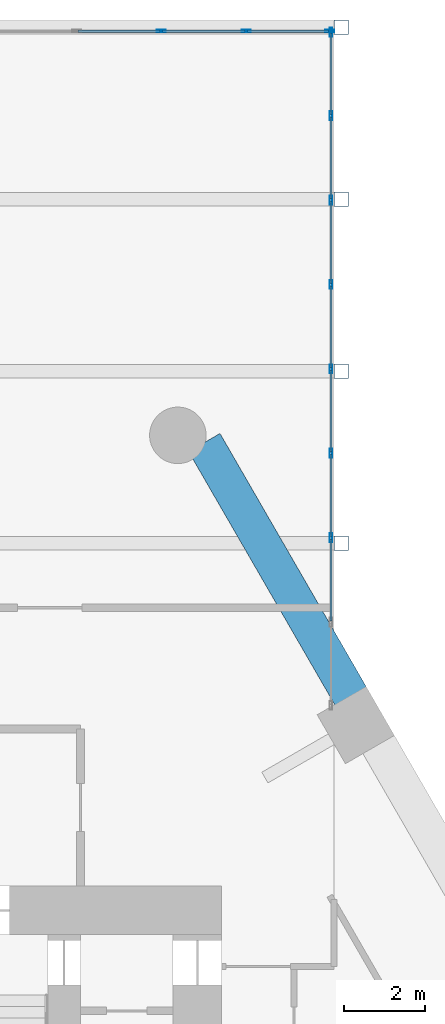
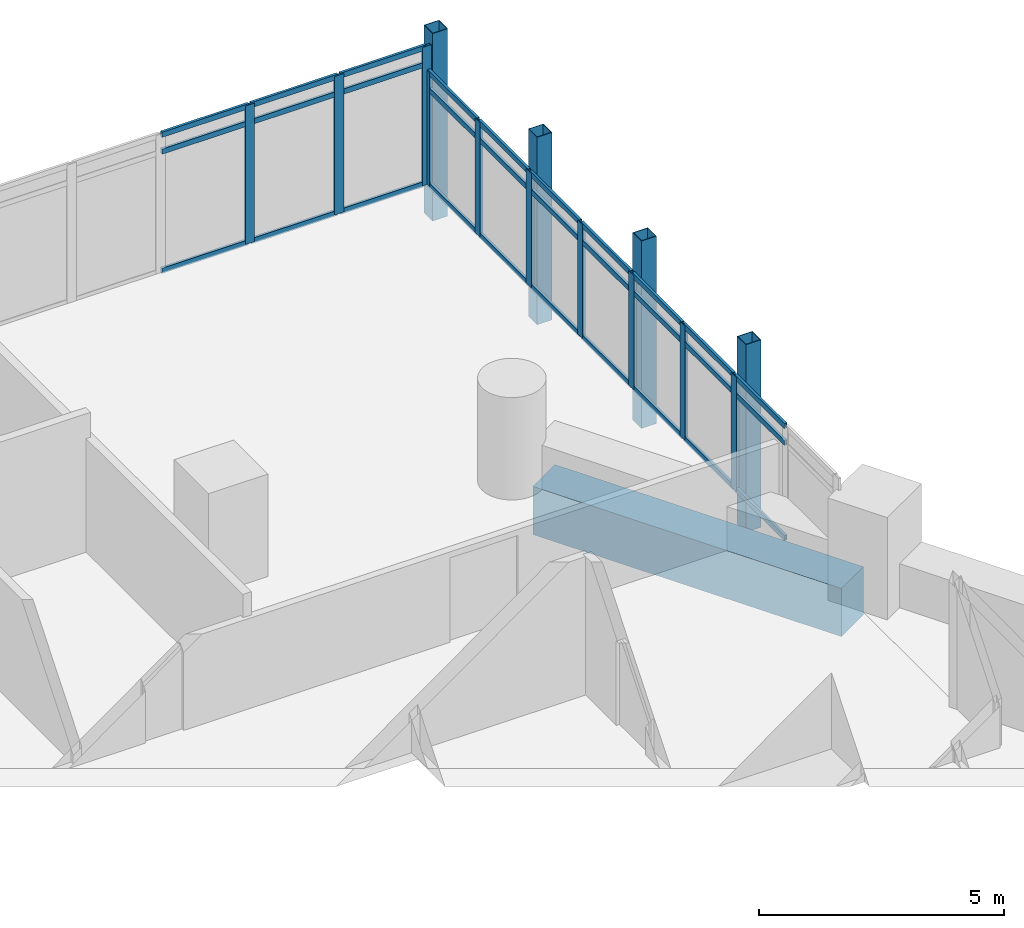
# One storey, part 19 of 28: 44 members, 1 beam, 2 elements without a shape of their own.
"""IFC4 building model written with IfcOpenShell, lengths in metres."""

from ifc_helpers import new_model, si_unit, direction, frame, origin, origin_2d, place, context, subcontext, project, spatial, rectangle, hollow_rectangle, extrude, material, material_profile, profile_set, type_object, element, aggregate, save


model = new_model("IFC4")

# Units and contexts
model_context = context("Model", 3, precision=1e-05, world=origin(), true_north=direction((0.0, 1.0)))
body_context = subcontext(model_context, "Body", "Model", "MODEL_VIEW")
ifc_project = project(units=[si_unit("LENGTHUNIT", "METRE"), si_unit("AREAUNIT", "SQUARE_METRE"), si_unit("VOLUMEUNIT", "CUBIC_METRE"), si_unit("PLANEANGLEUNIT", "RADIAN"), si_unit("MASSUNIT", "GRAM", prefix="KILO")], contexts=[model_context])

# Site, building, storey
site_placement = place(None, origin())
site = spatial("IfcSite", under=ifc_project, at=site_placement, CompositionType="ELEMENT")
building_placement = place(site_placement, origin())
building = spatial("IfcBuilding", under=site, at=building_placement, Name="Ostrander Bayou Hotel Tower", CompositionType="ELEMENT")
storey_placement = place(building_placement, frame((0.0, 0.0, 76.75)))
storey = spatial("IfcBuildingStorey", under=building, at=storey_placement, Name="L19", CompositionType="ELEMENT", Elevation=76.75)

# Curtain wall, members
ifc_material_1 = material(Name="Aluminium and clear glass", Category="aluminium")
curtain_wall_type = type_object("IfcCurtainWallType", Name="CW-BAR glazed wall", PredefinedType="NOTDEFINED", material=ifc_material_1)
curtain_wall_1_placement = place(storey_placement, origin())
curtain_wall_1 = element("IfcCurtainWall", 1, at=curtain_wall_1_placement, inside=storey, type_object=curtain_wall_type, Name="CW-BAR L19:SB1N:T", PredefinedType="NOTDEFINED")
ifc_material_2 = material(Name="Aluminium", Category="aluminium")
ifc_material_profile_1 = material_profile(ifc_material_2, hollow_rectangle(XDim=0.06005859375, YDim=0.219970703125, WallThickness=0.00390625, at=origin_2d()))
ifc_profile_set_1 = profile_set([ifc_material_profile_1], Name="Aluminium")
member_type_1 = type_object("IfcMemberType", Name="CW-BR mullion 60 x 220 mm", PredefinedType="MULLION", material=ifc_profile_set_1)
member_1_placement = place(storey_placement, frame((10.5087890625, 30.88623046875, 0.0), z_axis=(0.0, 0.0, 1.0), x_axis=(0.0, 1.0, 0.0)))
member_1 = element("IfcMember", 2, at=member_1_placement, type_object=member_type_1, Name="CW-BAR mullion 13", PredefinedType="MULLION", context=body_context, shape_type="SweptSolid", body=[
    extrude(hollow_rectangle(XDim=0.06005859375, YDim=0.219970703125, WallThickness=0.00390625, at=origin_2d()), origin(), (0.0, 0.0, 1.0), 3.449951171875),
])
member_2_placement = place(storey_placement, frame((12.6103515625, 30.88623046875, 0.0), z_axis=(0.0, 0.0, 1.0), x_axis=(0.0, 1.0, 0.0)))
member_2 = element("IfcMember", 3, at=member_2_placement, type_object=member_type_1, Name="CW-BAR mullion 14", PredefinedType="MULLION", context=body_context, shape_type="SweptSolid", body=[
    extrude(hollow_rectangle(XDim=0.06005859375, YDim=0.219970703125, WallThickness=0.00390625, at=origin_2d()), origin(), (0.0, 0.0, 1.0), 3.449951171875),
])
member_3_placement = place(storey_placement, frame((14.68212890625, 30.88623046875, 0.0), z_axis=(0.0, 0.0, 1.0), x_axis=(0.0, 1.0, 0.0)))
member_3 = element("IfcMember", 4, at=member_3_placement, type_object=member_type_1, Name="CW-BAR mullion 15", PredefinedType="MULLION", context=body_context, shape_type="SweptSolid", body=[
    extrude(hollow_rectangle(XDim=0.06005859375, YDim=0.219970703125, WallThickness=0.00390625, at=origin_2d()), origin(), (0.0, 0.0, 1.0), 3.449951171875),
])

curtain_wall_2_placement = place(storey_placement, origin())
curtain_wall_2 = element("IfcCurtainWall", 5, at=curtain_wall_2_placement, inside=storey, type_object=curtain_wall_type, Name="CW-BAR L19:SB1N:W", PredefinedType="NOTDEFINED")
member_4_placement = place(storey_placement, frame((14.712158203125, 18.33154296875, 0.0), z_axis=(0.0, 0.0, 1.0), x_axis=(-1.0, 0.0, 0.0)))
member_4 = element("IfcMember", 6, at=member_4_placement, type_object=member_type_1, Name="CW-BAR mullion 3", PredefinedType="MULLION", context=body_context, shape_type="SweptSolid", body=[
    extrude(hollow_rectangle(XDim=0.06005859375, YDim=0.219970703125, WallThickness=0.00390625, at=origin_2d()), origin(), (0.0, 0.0, 1.0), 2.85009765625),
])
member_5_placement = place(storey_placement, frame((14.712158203125, 20.424072265625, 0.0), z_axis=(0.0, 0.0, 1.0), x_axis=(-1.0, 0.0, 0.0)))
member_5 = element("IfcMember", 7, at=member_5_placement, type_object=member_type_1, Name="CW-BAR mullion 4", PredefinedType="MULLION", context=body_context, shape_type="SweptSolid", body=[
    extrude(hollow_rectangle(XDim=0.06005859375, YDim=0.219970703125, WallThickness=0.00390625, at=origin_2d()), origin(), (0.0, 0.0, 1.0), 2.85009765625),
])
member_6_placement = place(storey_placement, frame((14.712158203125, 22.5166015625, 0.0), z_axis=(0.0, 0.0, 1.0), x_axis=(-1.0, 0.0, 0.0)))
member_6 = element("IfcMember", 8, at=member_6_placement, type_object=member_type_1, Name="CW-BAR mullion 5", PredefinedType="MULLION", context=body_context, shape_type="SweptSolid", body=[
    extrude(hollow_rectangle(XDim=0.06005859375, YDim=0.219970703125, WallThickness=0.00390625, at=origin_2d()), origin(), (0.0, 0.0, 1.0), 2.85009765625),
])
member_7_placement = place(storey_placement, frame((14.712158203125, 24.60888671875, 0.0), z_axis=(0.0, 0.0, 1.0), x_axis=(-1.0, 0.0, 0.0)))
member_7 = element("IfcMember", 9, at=member_7_placement, type_object=member_type_1, Name="CW-BAR mullion 6", PredefinedType="MULLION", context=body_context, shape_type="SweptSolid", body=[
    extrude(hollow_rectangle(XDim=0.06005859375, YDim=0.219970703125, WallThickness=0.00390625, at=origin_2d()), origin(), (0.0, 0.0, 1.0), 2.85009765625),
])
member_8_placement = place(storey_placement, frame((14.712158203125, 26.701416015625, 0.0), z_axis=(0.0, 0.0, 1.0), x_axis=(-1.0, 0.0, 0.0)))
member_8 = element("IfcMember", 10, at=member_8_placement, type_object=member_type_1, Name="CW-BAR mullion 7", PredefinedType="MULLION", context=body_context, shape_type="SweptSolid", body=[
    extrude(hollow_rectangle(XDim=0.06005859375, YDim=0.219970703125, WallThickness=0.00390625, at=origin_2d()), origin(), (0.0, 0.0, 1.0), 2.85009765625),
])
member_9_placement = place(storey_placement, frame((14.712158203125, 28.793701171875, 0.0), z_axis=(0.0, 0.0, 1.0), x_axis=(-1.0, 0.0, 0.0)))
member_9 = element("IfcMember", 11, at=member_9_placement, type_object=member_type_1, Name="CW-BAR mullion 8", PredefinedType="MULLION", context=body_context, shape_type="SweptSolid", body=[
    extrude(hollow_rectangle(XDim=0.06005859375, YDim=0.219970703125, WallThickness=0.00390625, at=origin_2d()), origin(), (0.0, 0.0, 1.0), 2.85009765625),
])
member_10_placement = place(storey_placement, frame((14.712158203125, 30.856201171875, 0.0), z_axis=(0.0, 0.0, 1.0), x_axis=(-1.0, 0.0, 0.0)))
member_10 = element("IfcMember", 12, at=member_10_placement, type_object=member_type_1, Name="CW-BAR mullion 9", PredefinedType="MULLION", context=body_context, shape_type="SweptSolid", body=[
    extrude(hollow_rectangle(XDim=0.06005859375, YDim=0.219970703125, WallThickness=0.00390625, at=origin_2d()), origin(), (0.0, 0.0, 1.0), 2.85009765625),
])

# Member
ifc_material_3 = material(Name="Aluminium", Category="aluminium")
ifc_material_profile_2 = material_profile(ifc_material_3, hollow_rectangle(XDim=0.06005859375, YDim=0.1298828125, WallThickness=0.00390625, at=origin_2d()))
ifc_profile_set_2 = profile_set([ifc_material_profile_2], Name="Aluminium")
member_type_2 = type_object("IfcMemberType", Name="CW-BR transom 60 x 130 mm", PredefinedType="USERDEFINED", material=ifc_profile_set_2)
member_11_placement = place(storey_placement, frame((8.43701171875, 30.88623046875, 0.030029296875), z_axis=(1.0, 0.0, 0.0), x_axis=(0.0, 1.0, 0.0)))
member_11 = element("IfcMember", 13, at=member_11_placement, type_object=member_type_2, Name="CW-BAR transom 12.1", ObjectType="TRANSOM", PredefinedType="USERDEFINED", context=body_context, shape_type="SweptSolid", body=[
    extrude(hollow_rectangle(XDim=0.06005859375, YDim=0.1298828125, WallThickness=0.00390625, at=origin_2d()), origin(), (0.0, 0.0, 1.0), 2.041748046875),
])

member_12_placement = place(storey_placement, frame((8.43701171875, 30.88623046875, 3.0), z_axis=(1.0, 0.0, 0.0), x_axis=(0.0, 1.0, 0.0)))
member_12 = element("IfcMember", 14, at=member_12_placement, type_object=member_type_2, Name="CW-BAR transom 12.2", ObjectType="TRANSOM", PredefinedType="USERDEFINED", context=body_context, shape_type="SweptSolid", body=[
    extrude(hollow_rectangle(XDim=0.06005859375, YDim=0.1298828125, WallThickness=0.00390625, at=origin_2d()), origin(), (0.0, 0.0, 1.0), 2.041748046875),
])

member_13_placement = place(storey_placement, frame((8.43701171875, 30.88623046875, 3.419921875), z_axis=(1.0, 0.0, 0.0), x_axis=(0.0, 1.0, 0.0)))
member_13 = element("IfcMember", 15, at=member_13_placement, type_object=member_type_2, Name="CW-BAR transom 12.3", ObjectType="TRANSOM", PredefinedType="USERDEFINED", context=body_context, shape_type="SweptSolid", body=[
    extrude(hollow_rectangle(XDim=0.06005859375, YDim=0.1298828125, WallThickness=0.00390625, at=origin_2d()), origin(), (0.0, 0.0, 1.0), 2.041748046875),
])

member_14_placement = place(storey_placement, frame((10.538818359375, 30.88623046875, 0.030029296875), z_axis=(1.0, 0.0, 0.0), x_axis=(0.0, 1.0, 0.0)))
member_14 = element("IfcMember", 16, at=member_14_placement, type_object=member_type_2, Name="CW-BAR transom 13.1", ObjectType="TRANSOM", PredefinedType="USERDEFINED", context=body_context, shape_type="SweptSolid", body=[
    extrude(hollow_rectangle(XDim=0.06005859375, YDim=0.1298828125, WallThickness=0.00390625, at=origin_2d()), origin(), (0.0, 0.0, 1.0), 2.041748046875),
])

member_15_placement = place(storey_placement, frame((10.538818359375, 30.88623046875, 3.0), z_axis=(1.0, 0.0, 0.0), x_axis=(0.0, 1.0, 0.0)))
member_15 = element("IfcMember", 17, at=member_15_placement, type_object=member_type_2, Name="CW-BAR transom 13.2", ObjectType="TRANSOM", PredefinedType="USERDEFINED", context=body_context, shape_type="SweptSolid", body=[
    extrude(hollow_rectangle(XDim=0.06005859375, YDim=0.1298828125, WallThickness=0.00390625, at=origin_2d()), origin(), (0.0, 0.0, 1.0), 2.041748046875),
])

member_16_placement = place(storey_placement, frame((10.538818359375, 30.88623046875, 3.419921875), z_axis=(1.0, 0.0, 0.0), x_axis=(0.0, 1.0, 0.0)))
member_16 = element("IfcMember", 18, at=member_16_placement, type_object=member_type_2, Name="CW-BAR transom 13.3", ObjectType="TRANSOM", PredefinedType="USERDEFINED", context=body_context, shape_type="SweptSolid", body=[
    extrude(hollow_rectangle(XDim=0.06005859375, YDim=0.1298828125, WallThickness=0.00390625, at=origin_2d()), origin(), (0.0, 0.0, 1.0), 2.041748046875),
])

member_17_placement = place(storey_placement, frame((12.640380859375, 30.88623046875, 0.030029296875), z_axis=(1.0, 0.0, 0.0), x_axis=(0.0, 1.0, 0.0)))
member_17 = element("IfcMember", 19, at=member_17_placement, type_object=member_type_2, Name="CW-BAR transom 14.1", ObjectType="TRANSOM", PredefinedType="USERDEFINED", context=body_context, shape_type="SweptSolid", body=[
    extrude(hollow_rectangle(XDim=0.06005859375, YDim=0.1298828125, WallThickness=0.00390625, at=origin_2d()), origin(), (0.0, 0.0, 1.0), 2.01171875),
])

member_18_placement = place(storey_placement, frame((12.640380859375, 30.88623046875, 3.0), z_axis=(1.0, 0.0, 0.0), x_axis=(0.0, 1.0, 0.0)))
member_18 = element("IfcMember", 20, at=member_18_placement, type_object=member_type_2, Name="CW-BAR transom 14.2", ObjectType="TRANSOM", PredefinedType="USERDEFINED", context=body_context, shape_type="SweptSolid", body=[
    extrude(hollow_rectangle(XDim=0.06005859375, YDim=0.1298828125, WallThickness=0.00390625, at=origin_2d()), origin(), (0.0, 0.0, 1.0), 2.01171875),
])

member_19_placement = place(storey_placement, frame((12.640380859375, 30.88623046875, 3.419921875), z_axis=(1.0, 0.0, 0.0), x_axis=(0.0, 1.0, 0.0)))
member_19 = element("IfcMember", 21, at=member_19_placement, type_object=member_type_2, Name="CW-BAR transom 14.3", ObjectType="TRANSOM", PredefinedType="USERDEFINED", context=body_context, shape_type="SweptSolid", body=[
    extrude(hollow_rectangle(XDim=0.06005859375, YDim=0.1298828125, WallThickness=0.00390625, at=origin_2d()), origin(), (0.0, 0.0, 1.0), 2.01171875),
])

aggregate(curtain_wall_1, [member_1, member_2, member_3, member_11, member_12, member_13, member_14, member_15, member_16, member_17, member_18, member_19])

member_20_placement = place(storey_placement, frame((14.712158203125, 16.269287109375, 0.030029296875), z_axis=(0.0, 1.0, 0.0), x_axis=(-1.0, 0.0, 0.0)))
member_20 = element("IfcMember", 22, at=member_20_placement, type_object=member_type_2, Name="CW-BAR transom 2.1", ObjectType="TRANSOM", PredefinedType="USERDEFINED", context=body_context, shape_type="SweptSolid", body=[
    extrude(hollow_rectangle(XDim=0.06005859375, YDim=0.1298828125, WallThickness=0.00390625, at=origin_2d()), origin(), (0.0, 0.0, 1.0), 2.032470703125),
])

member_21_placement = place(storey_placement, frame((14.712158203125, 16.269287109375, 2.39990234375), z_axis=(0.0, 1.0, 0.0), x_axis=(-1.0, 0.0, 0.0)))
member_21 = element("IfcMember", 23, at=member_21_placement, type_object=member_type_2, Name="CW-BAR transom 2.2", ObjectType="TRANSOM", PredefinedType="USERDEFINED", context=body_context, shape_type="SweptSolid", body=[
    extrude(hollow_rectangle(XDim=0.06005859375, YDim=0.1298828125, WallThickness=0.00390625, at=origin_2d()), origin(), (0.0, 0.0, 1.0), 2.032470703125),
])

member_22_placement = place(storey_placement, frame((14.712158203125, 16.269287109375, 2.820068359375), z_axis=(0.0, 1.0, 0.0), x_axis=(-1.0, 0.0, 0.0)))
member_22 = element("IfcMember", 24, at=member_22_placement, type_object=member_type_2, Name="CW-BAR transom 2.3", ObjectType="TRANSOM", PredefinedType="USERDEFINED", context=body_context, shape_type="SweptSolid", body=[
    extrude(hollow_rectangle(XDim=0.06005859375, YDim=0.1298828125, WallThickness=0.00390625, at=origin_2d()), origin(), (0.0, 0.0, 1.0), 2.032470703125),
])

member_23_placement = place(storey_placement, frame((14.712158203125, 18.361572265625, 0.030029296875), z_axis=(0.0, 1.0, 0.0), x_axis=(-1.0, 0.0, 0.0)))
member_23 = element("IfcMember", 25, at=member_23_placement, type_object=member_type_2, Name="CW-BAR transom 3.1", ObjectType="TRANSOM", PredefinedType="USERDEFINED", context=body_context, shape_type="SweptSolid", body=[
    extrude(hollow_rectangle(XDim=0.06005859375, YDim=0.1298828125, WallThickness=0.00390625, at=origin_2d()), origin(), (0.0, 0.0, 1.0), 2.032470703125),
])

member_24_placement = place(storey_placement, frame((14.712158203125, 18.361572265625, 2.39990234375), z_axis=(0.0, 1.0, 0.0), x_axis=(-1.0, 0.0, 0.0)))
member_24 = element("IfcMember", 26, at=member_24_placement, type_object=member_type_2, Name="CW-BAR transom 3.2", ObjectType="TRANSOM", PredefinedType="USERDEFINED", context=body_context, shape_type="SweptSolid", body=[
    extrude(hollow_rectangle(XDim=0.06005859375, YDim=0.1298828125, WallThickness=0.00390625, at=origin_2d()), origin(), (0.0, 0.0, 1.0), 2.032470703125),
])

member_25_placement = place(storey_placement, frame((14.712158203125, 18.361572265625, 2.820068359375), z_axis=(0.0, 1.0, 0.0), x_axis=(-1.0, 0.0, 0.0)))
member_25 = element("IfcMember", 27, at=member_25_placement, type_object=member_type_2, Name="CW-BAR transom 3.3", ObjectType="TRANSOM", PredefinedType="USERDEFINED", context=body_context, shape_type="SweptSolid", body=[
    extrude(hollow_rectangle(XDim=0.06005859375, YDim=0.1298828125, WallThickness=0.00390625, at=origin_2d()), origin(), (0.0, 0.0, 1.0), 2.032470703125),
])

member_26_placement = place(storey_placement, frame((14.712158203125, 20.4541015625, 0.030029296875), z_axis=(0.0, 1.0, 0.0), x_axis=(-1.0, 0.0, 0.0)))
member_26 = element("IfcMember", 28, at=member_26_placement, type_object=member_type_2, Name="CW-BAR transom 4.1", ObjectType="TRANSOM", PredefinedType="USERDEFINED", context=body_context, shape_type="SweptSolid", body=[
    extrude(hollow_rectangle(XDim=0.06005859375, YDim=0.1298828125, WallThickness=0.00390625, at=origin_2d()), origin(), (0.0, 0.0, 1.0), 2.032470703125),
])

member_27_placement = place(storey_placement, frame((14.712158203125, 20.4541015625, 2.39990234375), z_axis=(0.0, 1.0, 0.0), x_axis=(-1.0, 0.0, 0.0)))
member_27 = element("IfcMember", 29, at=member_27_placement, type_object=member_type_2, Name="CW-BAR transom 4.2", ObjectType="TRANSOM", PredefinedType="USERDEFINED", context=body_context, shape_type="SweptSolid", body=[
    extrude(hollow_rectangle(XDim=0.06005859375, YDim=0.1298828125, WallThickness=0.00390625, at=origin_2d()), origin(), (0.0, 0.0, 1.0), 2.032470703125),
])

member_28_placement = place(storey_placement, frame((14.712158203125, 20.4541015625, 2.820068359375), z_axis=(0.0, 1.0, 0.0), x_axis=(-1.0, 0.0, 0.0)))
member_28 = element("IfcMember", 30, at=member_28_placement, type_object=member_type_2, Name="CW-BAR transom 4.3", ObjectType="TRANSOM", PredefinedType="USERDEFINED", context=body_context, shape_type="SweptSolid", body=[
    extrude(hollow_rectangle(XDim=0.06005859375, YDim=0.1298828125, WallThickness=0.00390625, at=origin_2d()), origin(), (0.0, 0.0, 1.0), 2.032470703125),
])

member_29_placement = place(storey_placement, frame((14.712158203125, 22.54638671875, 0.030029296875), z_axis=(0.0, 1.0, 0.0), x_axis=(-1.0, 0.0, 0.0)))
member_29 = element("IfcMember", 31, at=member_29_placement, type_object=member_type_2, Name="CW-BAR transom 5.1", ObjectType="TRANSOM", PredefinedType="USERDEFINED", context=body_context, shape_type="SweptSolid", body=[
    extrude(hollow_rectangle(XDim=0.06005859375, YDim=0.1298828125, WallThickness=0.00390625, at=origin_2d()), origin(), (0.0, 0.0, 1.0), 2.032470703125),
])

member_30_placement = place(storey_placement, frame((14.712158203125, 22.54638671875, 2.39990234375), z_axis=(0.0, 1.0, 0.0), x_axis=(-1.0, 0.0, 0.0)))
member_30 = element("IfcMember", 32, at=member_30_placement, type_object=member_type_2, Name="CW-BAR transom 5.2", ObjectType="TRANSOM", PredefinedType="USERDEFINED", context=body_context, shape_type="SweptSolid", body=[
    extrude(hollow_rectangle(XDim=0.06005859375, YDim=0.1298828125, WallThickness=0.00390625, at=origin_2d()), origin(), (0.0, 0.0, 1.0), 2.032470703125),
])

member_31_placement = place(storey_placement, frame((14.712158203125, 22.54638671875, 2.820068359375), z_axis=(0.0, 1.0, 0.0), x_axis=(-1.0, 0.0, 0.0)))
member_31 = element("IfcMember", 33, at=member_31_placement, type_object=member_type_2, Name="CW-BAR transom 5.3", ObjectType="TRANSOM", PredefinedType="USERDEFINED", context=body_context, shape_type="SweptSolid", body=[
    extrude(hollow_rectangle(XDim=0.06005859375, YDim=0.1298828125, WallThickness=0.00390625, at=origin_2d()), origin(), (0.0, 0.0, 1.0), 2.032470703125),
])

member_32_placement = place(storey_placement, frame((14.712158203125, 24.638916015625, 0.030029296875), z_axis=(0.0, 1.0, 0.0), x_axis=(-1.0, 0.0, 0.0)))
member_32 = element("IfcMember", 34, at=member_32_placement, type_object=member_type_2, Name="CW-BAR transom 6.1", ObjectType="TRANSOM", PredefinedType="USERDEFINED", context=body_context, shape_type="SweptSolid", body=[
    extrude(hollow_rectangle(XDim=0.06005859375, YDim=0.1298828125, WallThickness=0.00390625, at=origin_2d()), origin(), (0.0, 0.0, 1.0), 2.032470703125),
])

member_33_placement = place(storey_placement, frame((14.712158203125, 24.638916015625, 2.39990234375), z_axis=(0.0, 1.0, 0.0), x_axis=(-1.0, 0.0, 0.0)))
member_33 = element("IfcMember", 35, at=member_33_placement, type_object=member_type_2, Name="CW-BAR transom 6.2", ObjectType="TRANSOM", PredefinedType="USERDEFINED", context=body_context, shape_type="SweptSolid", body=[
    extrude(hollow_rectangle(XDim=0.06005859375, YDim=0.1298828125, WallThickness=0.00390625, at=origin_2d()), origin(), (0.0, 0.0, 1.0), 2.032470703125),
])

member_34_placement = place(storey_placement, frame((14.712158203125, 24.638916015625, 2.820068359375), z_axis=(0.0, 1.0, 0.0), x_axis=(-1.0, 0.0, 0.0)))
member_34 = element("IfcMember", 36, at=member_34_placement, type_object=member_type_2, Name="CW-BAR transom 6.3", ObjectType="TRANSOM", PredefinedType="USERDEFINED", context=body_context, shape_type="SweptSolid", body=[
    extrude(hollow_rectangle(XDim=0.06005859375, YDim=0.1298828125, WallThickness=0.00390625, at=origin_2d()), origin(), (0.0, 0.0, 1.0), 2.032470703125),
])

member_35_placement = place(storey_placement, frame((14.712158203125, 26.7314453125, 0.030029296875), z_axis=(0.0, 1.0, 0.0), x_axis=(-1.0, 0.0, 0.0)))
member_35 = element("IfcMember", 37, at=member_35_placement, type_object=member_type_2, Name="CW-BAR transom 7.1", ObjectType="TRANSOM", PredefinedType="USERDEFINED", context=body_context, shape_type="SweptSolid", body=[
    extrude(hollow_rectangle(XDim=0.06005859375, YDim=0.1298828125, WallThickness=0.00390625, at=origin_2d()), origin(), (0.0, 0.0, 1.0), 2.0322265625),
])

member_36_placement = place(storey_placement, frame((14.712158203125, 26.7314453125, 2.39990234375), z_axis=(0.0, 1.0, 0.0), x_axis=(-1.0, 0.0, 0.0)))
member_36 = element("IfcMember", 38, at=member_36_placement, type_object=member_type_2, Name="CW-BAR transom 7.2", ObjectType="TRANSOM", PredefinedType="USERDEFINED", context=body_context, shape_type="SweptSolid", body=[
    extrude(hollow_rectangle(XDim=0.06005859375, YDim=0.1298828125, WallThickness=0.00390625, at=origin_2d()), origin(), (0.0, 0.0, 1.0), 2.0322265625),
])

member_37_placement = place(storey_placement, frame((14.712158203125, 26.7314453125, 2.820068359375), z_axis=(0.0, 1.0, 0.0), x_axis=(-1.0, 0.0, 0.0)))
member_37 = element("IfcMember", 39, at=member_37_placement, type_object=member_type_2, Name="CW-BAR transom 7.3", ObjectType="TRANSOM", PredefinedType="USERDEFINED", context=body_context, shape_type="SweptSolid", body=[
    extrude(hollow_rectangle(XDim=0.06005859375, YDim=0.1298828125, WallThickness=0.00390625, at=origin_2d()), origin(), (0.0, 0.0, 1.0), 2.0322265625),
])

member_38_placement = place(storey_placement, frame((14.712158203125, 28.82373046875, 0.030029296875), z_axis=(0.0, 1.0, 0.0), x_axis=(-1.0, 0.0, 0.0)))
member_38 = element("IfcMember", 40, at=member_38_placement, type_object=member_type_2, Name="CW-BAR transom 8.1", ObjectType="TRANSOM", PredefinedType="USERDEFINED", context=body_context, shape_type="SweptSolid", body=[
    extrude(hollow_rectangle(XDim=0.06005859375, YDim=0.1298828125, WallThickness=0.00390625, at=origin_2d()), origin(), (0.0, 0.0, 1.0), 2.00244140625),
])

member_39_placement = place(storey_placement, frame((14.712158203125, 28.82373046875, 2.39990234375), z_axis=(0.0, 1.0, 0.0), x_axis=(-1.0, 0.0, 0.0)))
member_39 = element("IfcMember", 41, at=member_39_placement, type_object=member_type_2, Name="CW-BAR transom 8.2", ObjectType="TRANSOM", PredefinedType="USERDEFINED", context=body_context, shape_type="SweptSolid", body=[
    extrude(hollow_rectangle(XDim=0.06005859375, YDim=0.1298828125, WallThickness=0.00390625, at=origin_2d()), origin(), (0.0, 0.0, 1.0), 2.00244140625),
])

member_40_placement = place(storey_placement, frame((14.712158203125, 28.82373046875, 2.820068359375), z_axis=(0.0, 1.0, 0.0), x_axis=(-1.0, 0.0, 0.0)))
member_40 = element("IfcMember", 42, at=member_40_placement, type_object=member_type_2, Name="CW-BAR transom 8.3", ObjectType="TRANSOM", PredefinedType="USERDEFINED", context=body_context, shape_type="SweptSolid", body=[
    extrude(hollow_rectangle(XDim=0.06005859375, YDim=0.1298828125, WallThickness=0.00390625, at=origin_2d()), origin(), (0.0, 0.0, 1.0), 2.00244140625),
])

aggregate(curtain_wall_2, [member_4, member_5, member_6, member_7, member_8, member_9, member_10, member_20, member_21, member_22, member_23, member_24, member_25, member_26, member_27, member_28, member_29, member_30, member_31, member_32, member_33, member_34, member_35, member_36, member_37, member_38, member_39, member_40])

# Beam
ifc_material_4 = material(Name="Concrete f'c 70 MPa", Category="concrete")
ifc_material_profile_3 = material_profile(ifc_material_4, rectangle(XDim=0.89990234375, YDim=1.199951171875, at=origin_2d()))
ifc_profile_set_3 = profile_set([ifc_material_profile_3], Name="Concrete f'c 70 MPa")
beam_type = type_object("IfcBeamType", Name="SP1 spandrel beam 900 x 1200 mm f'c 70 MPa", PredefinedType="SPANDREL", material=ifc_profile_set_3)
beam_placement = place(storey_placement, frame((15.20654296875, 14.397705078125, -0.60009765625), z_axis=(-0.50000343918, 0.866023418164, 0.0), x_axis=(-0.866023418164, -0.50000343918, 0.0)))
element("IfcBeam", 43, at=beam_placement, inside=storey, type_object=beam_type, Name="SP1 L19 NE-3", PredefinedType="SPANDREL", context=body_context, shape_type="SweptSolid", body=[
    extrude(rectangle(XDim=0.89990234375, YDim=1.199951171875, at=origin_2d()), origin(), (0.0, 0.0, 1.0), 7.2705078125),
])

# Members
ifc_material_5 = material(Name="Steel ASTM A500 Gr C", Category="steel")
ifc_material_profile_4 = material_profile(ifc_material_5, hollow_rectangle(XDim=0.355712890625, YDim=0.355712890625, WallThickness=0.0146484375, at=origin_2d()))
ifc_profile_set_4 = profile_set([ifc_material_profile_4], Name="Steel ASTM A500 Gr C")
member_type_3 = type_object("IfcMemberType", Name="TH1 bar hanger HSS14x14x5/8", PredefinedType="POST", material=ifc_profile_set_4)
for number, where, z_axis, x_axis, name in (
    (44, (14.965087890625, 30.986083984375, -0.921875), (0.0, 0.0, 1.0), (1.0, 0.0, 0.0), "TH1 SB1WB H1-4"),
    (45, (14.965087890625, 26.723876953125, -0.921875), (0.0, 0.0, 1.0), (1.0, 0.0, 0.0), "TH1 SB1WB H2-4"),
    (46, (14.965087890625, 22.46142578125, -0.921875), (0.0, 0.0, 1.0), (1.0, 0.0, 0.0), "TH1 SB1WB H3-4"),
    (47, (14.965087890625, 18.198974609375, -0.921875), (0.0, 0.0, 1.0), (1.0, 0.0, 0.0), "TH1 SB1WB H4-4"),
):
    element("IfcMember", number, at=place(storey_placement, frame(where, z_axis=z_axis, x_axis=x_axis)), inside=storey, type_object=member_type_3, Name=name, PredefinedType="POST", context=body_context, shape_type="SweptSolid", body=[
        extrude(hollow_rectangle(XDim=0.355712890625, YDim=0.355712890625, WallThickness=0.0146484375, at=origin_2d()), origin(), (0.0, 0.0, 1.0), 4.671875),
    ])

save(model, "model.ifc")
